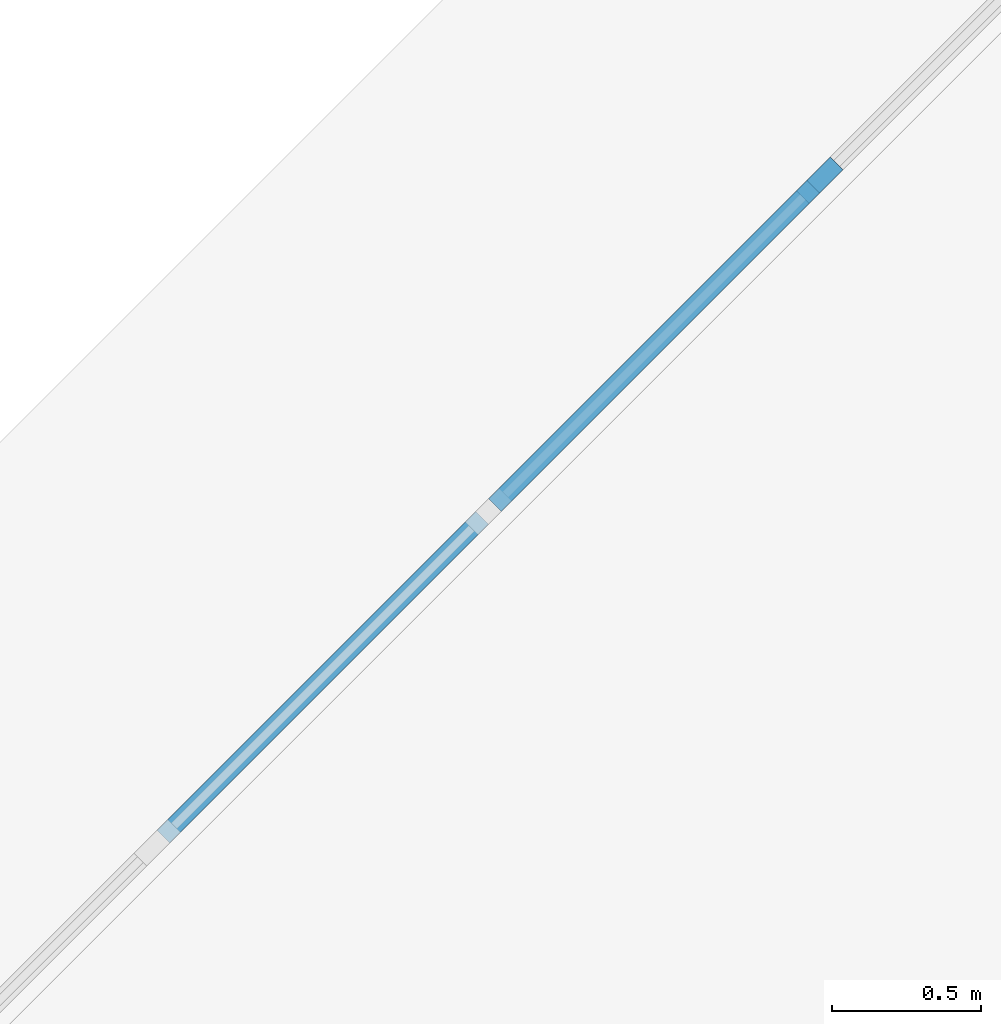
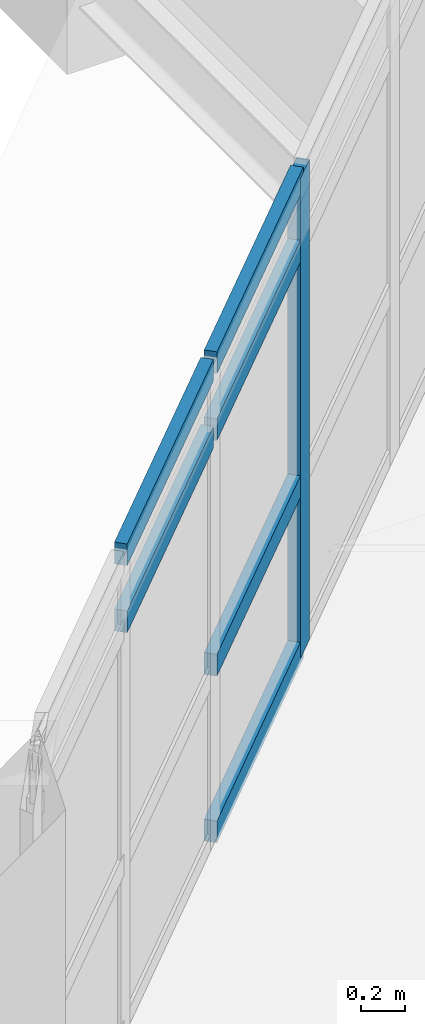
# One storey, part 12 of 92: 7 members, 1 element without a shape of its own.
"""IFC4 building model written with IfcOpenShell, lengths in metres."""

from ifc_helpers import new_model, si_unit, direction, frame, origin, origin_2d, place, context, subcontext, project, spatial, rectangle, extrude, material, material_profile, profile_set, type_object, element, aggregate, save


model = new_model("IFC4")

# Units and contexts
model_context = context("Model", 3, precision=1e-05, world=origin(), true_north=direction((0.0, 1.0)))
body_context = subcontext(model_context, "Body", "Model", "MODEL_VIEW")
ifc_project = project(units=[si_unit("LENGTHUNIT", "METRE"), si_unit("AREAUNIT", "SQUARE_METRE"), si_unit("VOLUMEUNIT", "CUBIC_METRE"), si_unit("PLANEANGLEUNIT", "RADIAN"), si_unit("MASSUNIT", "GRAM", prefix="KILO")], contexts=[model_context])

# Site, building, storey
site_placement = place(None, origin())
site = spatial("IfcSite", under=ifc_project, at=site_placement, CompositionType="ELEMENT")
building_placement = place(site_placement, origin())
building = spatial("IfcBuilding", under=site, at=building_placement, Name="Vanh Quang Courtyard School", CompositionType="ELEMENT")
storey_placement = place(building_placement, frame((0.0, 0.0, 7.800048828125)))
storey = spatial("IfcBuildingStorey", under=building, at=storey_placement, Name="L02", CompositionType="ELEMENT", Elevation=7.800048828125)

# Curtain wall, members
ifc_material_1 = material(Name="Thermally broken aluminium unitised curtain wall", Category="aluminium")
curtain_wall_type = type_object("IfcCurtainWallType", Name="CW-SYS-24", PredefinedType="NOTDEFINED", material=ifc_material_1)
curtain_wall_placement = place(storey_placement, origin())
curtain_wall = element("IfcCurtainWall", 1, at=curtain_wall_placement, inside=storey, type_object=curtain_wall_type, Name="Curtain Wall CW-24 (L02)", PredefinedType="NOTDEFINED")
ifc_material_2 = material(Name="Anodised aluminium 6063-T6", Category="aluminium")
ifc_material_profile_1 = material_profile(ifc_material_2, rectangle(XDim=0.06005859375, YDim=0.159912109375, at=origin_2d()), Name="ALU-MUL 60x160")
ifc_profile_set_1 = profile_set([ifc_material_profile_1], Name="Anodised aluminium 6063-T6")
member_type_1 = type_object("IfcMemberType", Name="CW-MUL-60x160", PredefinedType="MULLION", material=ifc_profile_set_1)
member_1_placement = place(storey_placement, frame((63.782470703125, 44.726318359375, 0.0), z_axis=(0.0, 0.0, 1.0), x_axis=(-0.707106781187, 0.707106781187, 0.0)))
member_1 = element("IfcMember", 2, at=member_1_placement, type_object=member_type_1, Name="CW-24 mullion 4", PredefinedType="MULLION", context=body_context, shape_type="SweptSolid", body=[
    extrude(rectangle(XDim=0.06005859375, YDim=0.159912109375, at=origin_2d()), origin(), (0.0, 0.0, 1.0), 2.64990234375),
])
ifc_material_profile_2 = material_profile(ifc_material_2, rectangle(XDim=0.06005859375, YDim=0.1201171875, at=origin_2d()), Name="ALU-TRN 60x120")
ifc_profile_set_2 = profile_set([ifc_material_profile_2], Name="Anodised aluminium 6063-T6")
member_type_2 = type_object("IfcMemberType", Name="CW-TRN-60x120", PredefinedType="USERDEFINED", material=ifc_profile_set_2)
member_2_placement = place(storey_placement, frame((61.5859375, 42.530029296875, 2.25), z_axis=(0.707106781187, 0.707106781187, 0.0), x_axis=(-0.707106781187, 0.707106781187, 0.0)))
member_2 = element("IfcMember", 3, at=member_2_placement, type_object=member_type_2, Name="CW-24 transom 2.3", ObjectType="TRANSOM", PredefinedType="USERDEFINED", context=body_context, shape_type="SweptSolid", body=[
    extrude(rectangle(XDim=0.06005859375, YDim=0.1201171875, at=origin_2d()), origin(), (0.0, 0.0, 1.0), 1.508056640625),
])
member_3_placement = place(storey_placement, frame((61.5859375, 42.530029296875, 2.619873046875), z_axis=(0.707106781187, 0.707106781187, 0.0), x_axis=(-0.707106781187, 0.707106781187, 0.0)))
member_3 = element("IfcMember", 4, at=member_3_placement, type_object=member_type_2, Name="CW-24 transom 2.4", ObjectType="TRANSOM", PredefinedType="USERDEFINED", context=body_context, shape_type="SweptSolid", body=[
    extrude(rectangle(XDim=0.06005859375, YDim=0.1201171875, at=origin_2d()), origin(), (0.0, 0.0, 1.0), 1.508056640625),
])
member_4_placement = place(storey_placement, frame((62.69482421875, 43.638916015625, 0.030029296875), z_axis=(0.707187727529, 0.707025825577, 0.0), x_axis=(-0.707025825577, 0.707187727529, 0.0)))
member_4 = element("IfcMember", 5, at=member_4_placement, type_object=member_type_2, Name="CW-24 transom 3.1", ObjectType="TRANSOM", PredefinedType="USERDEFINED", context=body_context, shape_type="SweptSolid", body=[
    extrude(rectangle(XDim=0.06005859375, YDim=0.1201171875, at=origin_2d()), origin(), (0.0, 0.0, 1.0), 1.508056640625),
])
member_5_placement = place(storey_placement, frame((62.69482421875, 43.638916015625, 0.949951171875), z_axis=(0.707187727529, 0.707025825577, 0.0), x_axis=(-0.707025825577, 0.707187727529, 0.0)))
member_5 = element("IfcMember", 6, at=member_5_placement, type_object=member_type_2, Name="CW-24 transom 3.2", ObjectType="TRANSOM", PredefinedType="USERDEFINED", context=body_context, shape_type="SweptSolid", body=[
    extrude(rectangle(XDim=0.06005859375, YDim=0.1201171875, at=origin_2d()), origin(), (0.0, 0.0, 1.0), 1.508056640625),
])
member_6_placement = place(storey_placement, frame((62.69482421875, 43.638916015625, 2.25), z_axis=(0.707187727529, 0.707025825577, 0.0), x_axis=(-0.707025825577, 0.707187727529, 0.0)))
member_6 = element("IfcMember", 7, at=member_6_placement, type_object=member_type_2, Name="CW-24 transom 3.3", ObjectType="TRANSOM", PredefinedType="USERDEFINED", context=body_context, shape_type="SweptSolid", body=[
    extrude(rectangle(XDim=0.06005859375, YDim=0.1201171875, at=origin_2d()), origin(), (0.0, 0.0, 1.0), 1.508056640625),
])
member_7_placement = place(storey_placement, frame((62.69482421875, 43.638916015625, 2.619873046875), z_axis=(0.707187727529, 0.707025825577, 0.0), x_axis=(-0.707025825577, 0.707187727529, 0.0)))
member_7 = element("IfcMember", 8, at=member_7_placement, type_object=member_type_2, Name="CW-24 transom 3.4", ObjectType="TRANSOM", PredefinedType="USERDEFINED", context=body_context, shape_type="SweptSolid", body=[
    extrude(rectangle(XDim=0.06005859375, YDim=0.1201171875, at=origin_2d()), origin(), (0.0, 0.0, 1.0), 1.508056640625),
])
aggregate(curtain_wall, [member_1, member_2, member_3, member_4, member_5, member_6, member_7])

save(model, "model.ifc")
